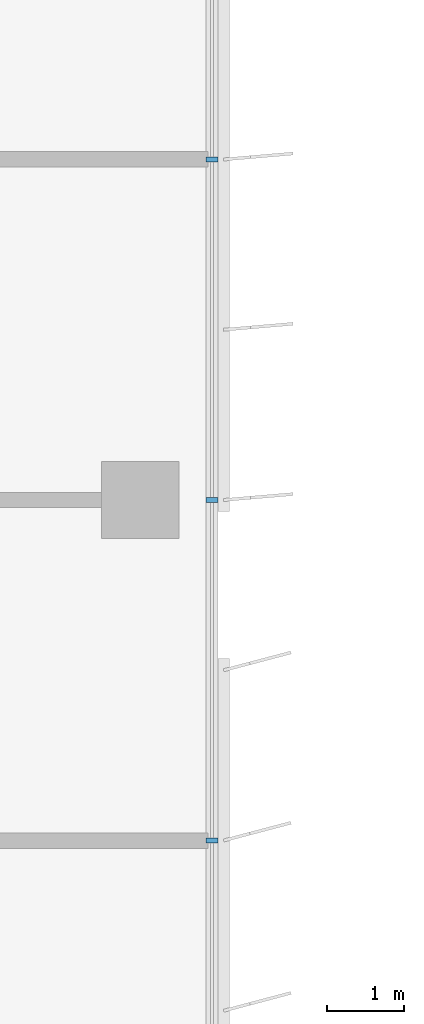
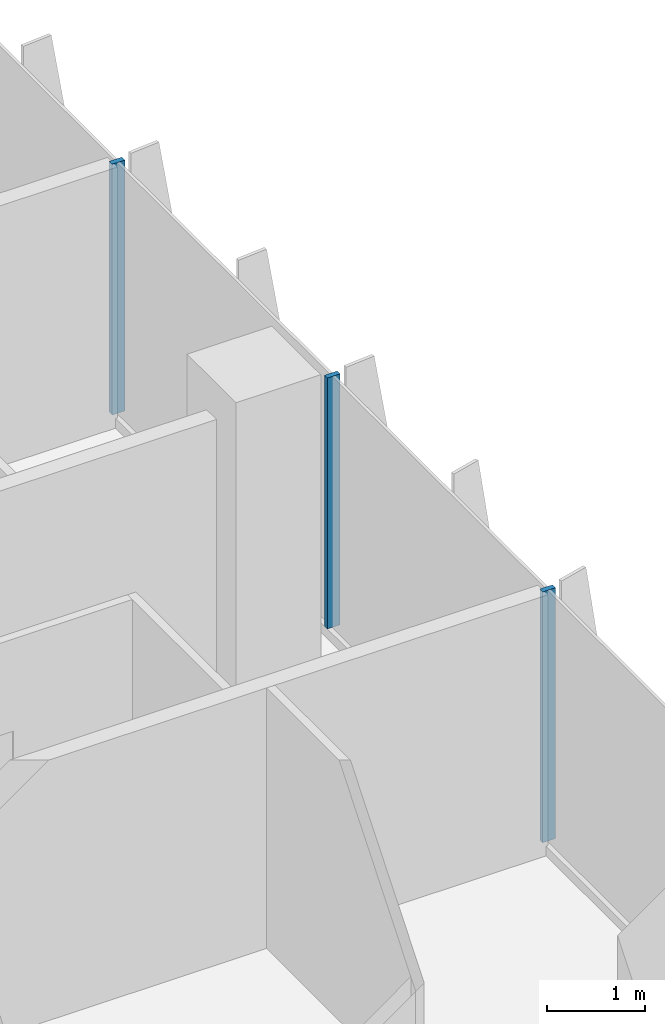
# One storey, part 5 of 21: 3 members, 1 element without a shape of its own.
"""IFC4 building model written with IfcOpenShell, lengths in metres."""

from ifc_helpers import new_model, si_unit, direction, frame, origin, origin_2d, place, context, subcontext, project, spatial, rectangle, extrude, source, transform, mapped, material, material_profile, profile_set, type_object, element, aggregate, save


model = new_model("IFC4")

# Units and contexts
model_context = context("Model", 3, precision=1e-05, world=origin(), true_north=direction((0.0, 1.0)))
body_context = subcontext(model_context, "Body", "Model", "MODEL_VIEW")
ifc_project = project(units=[si_unit("LENGTHUNIT", "METRE"), si_unit("AREAUNIT", "SQUARE_METRE"), si_unit("VOLUMEUNIT", "CUBIC_METRE"), si_unit("PLANEANGLEUNIT", "RADIAN"), si_unit("MASSUNIT", "GRAM", prefix="KILO")], contexts=[model_context])

# Site, building, storey
site_placement = place(None, origin())
site = spatial("IfcSite", under=ifc_project, at=site_placement, CompositionType="ELEMENT")
building_placement = place(site_placement, origin())
building = spatial("IfcBuilding", under=site, at=building_placement, Name="Kemantara Hotel Tower", CompositionType="ELEMENT")
storey_placement = place(building_placement, frame((0.0, 0.0, 198.800048828125)))
storey = spatial("IfcBuildingStorey", under=building, at=storey_placement, Name="L49", CompositionType="ELEMENT", Elevation=198.800048828125)

# Curtain wall, members
ifc_material_1 = material(Name="Low-E tinted double insulated glass 36 mm", Category="glass")
curtain_wall_type = type_object("IfcCurtainWallType", Name="TOWER CURTAIN WALL, FRONT FACES", PredefinedType="USERDEFINED", material=ifc_material_1)
curtain_wall_placement = place(storey_placement, origin())
curtain_wall = element("IfcCurtainWall", 1, at=curtain_wall_placement, inside=storey, type_object=curtain_wall_type, Name="CW4 L49 T3-R17-1", ObjectType="TOWER CURTAIN WALL, FRONT FACES", PredefinedType="USERDEFINED")
ifc_material_2 = material(Name="Aluminium 6063-T6 bronze anodised", Category="aluminium")
ifc_material_profile = material_profile(ifc_material_2, rectangle(XDim=0.14990234375, YDim=0.06005859375, at=origin_2d()), Name="TOWER CURTAIN WALL, FRONT FACES MULLION")
ifc_profile_set = profile_set([ifc_material_profile], Name="Aluminium 6063-T6 bronze anodised")
member_type = type_object("IfcMemberType", Name="TOWER CURTAIN WALL, FRONT FACES MULLION", PredefinedType="MULLION", material=ifc_profile_set)
shared_shape = source(origin(), body_context, "Body", "SweptSolid", [
    extrude(rectangle(XDim=0.14990234375, YDim=0.06005859375, at=origin_2d()), origin(), (0.0, 0.0, 1.0), 3.130126953125),
])
member_1_placement = place(storey_placement, frame((21.925048828125, 31.800048828125, 0.119873046875), z_axis=(0.0, 0.0, 1.0), x_axis=(-1.0, 0.0, 0.0)))
member_1 = element("IfcMember", 2, at=member_1_placement, type_object=member_type, Name="CW4 mullion T3-R17-1.3", PredefinedType="MULLION", context=body_context, shape_type="MappedRepresentation", body=[
    mapped(shared_shape, transform((0.0, 0.0, 0.0))),
])
member_2_placement = place(storey_placement, frame((21.925048828125, 36.199951171875, 0.119873046875), z_axis=(0.0, 0.0, 1.0), x_axis=(-1.0, 0.0, 0.0)))
member_2 = element("IfcMember", 3, at=member_2_placement, type_object=member_type, Name="CW4 mullion T3-R17-1.4", PredefinedType="MULLION", context=body_context, shape_type="MappedRepresentation", body=[
    mapped(shared_shape, transform((0.0, 0.0, 0.0))),
])
member_3_placement = place(storey_placement, frame((21.925048828125, 40.60009765625, 0.119873046875), z_axis=(0.0, 0.0, 1.0), x_axis=(-1.0, 0.0, 0.0)))
member_3 = element("IfcMember", 4, at=member_3_placement, type_object=member_type, Name="CW4 mullion T3-R17-1.5", PredefinedType="MULLION", context=body_context, shape_type="MappedRepresentation", body=[
    mapped(shared_shape, transform((0.0, 0.0, 0.0))),
])
aggregate(curtain_wall, [member_1, member_2, member_3])

save(model, "model.ifc")
